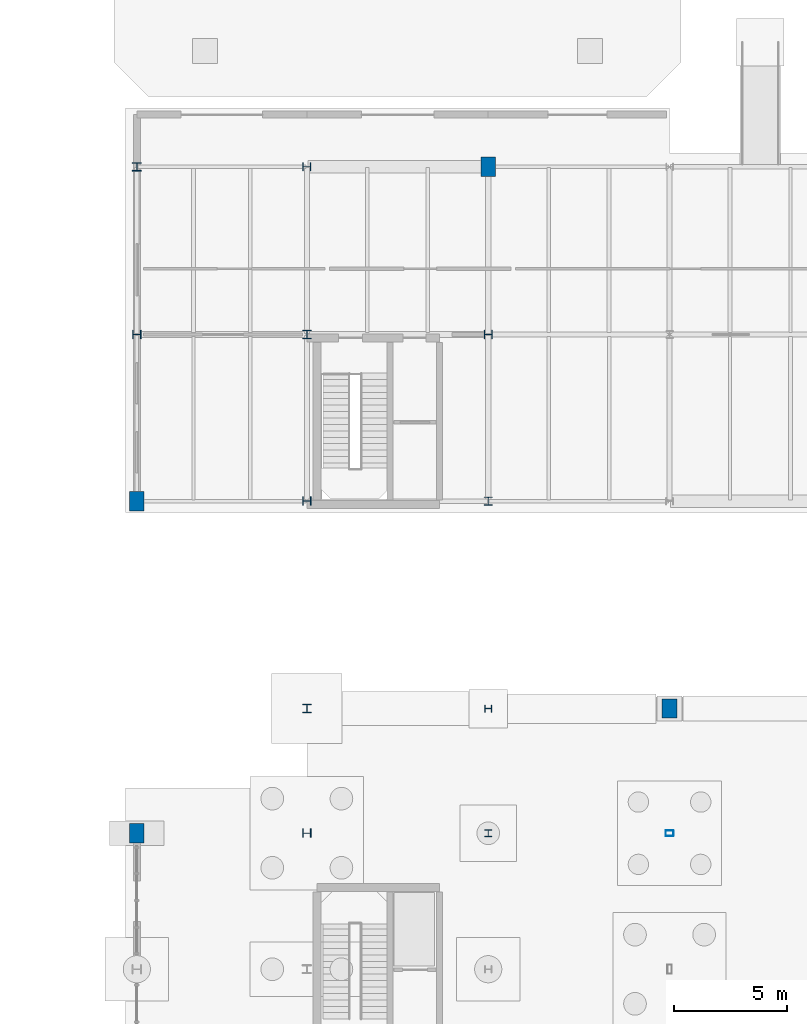
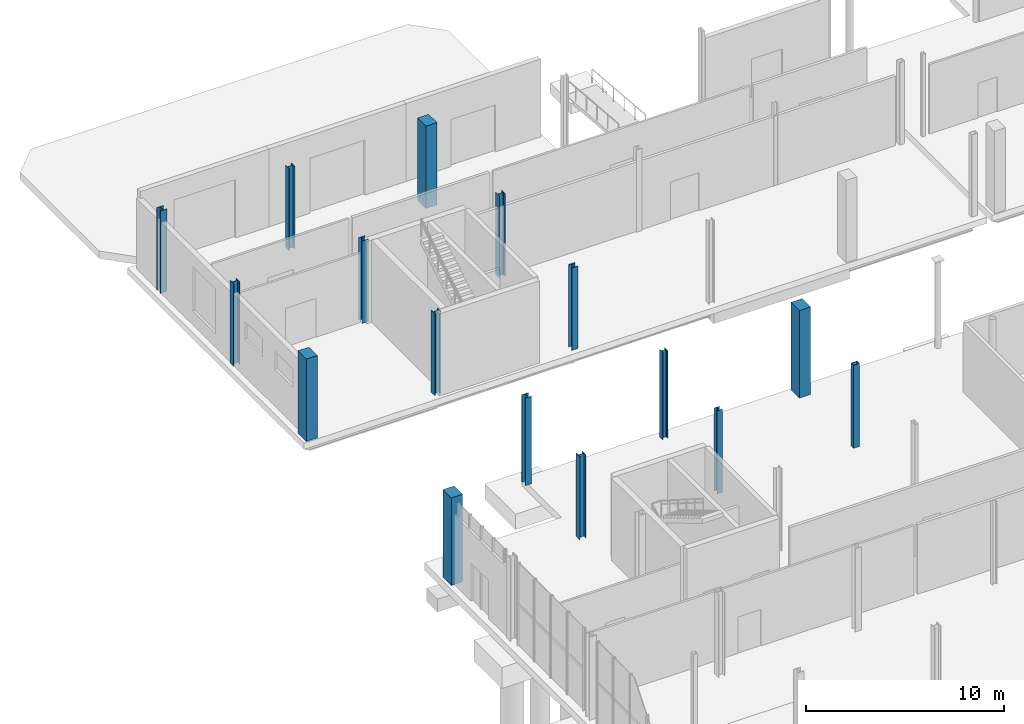
# One storey, part 19 of 87: 16 columns.
"""IFC4 building model written with IfcOpenShell, lengths in metres."""

import ifcopenshell
import ifcopenshell.guid

model = None  # the IFC model being written
_history = None  # IfcOwnerHistory: only IFC2X3 demands one
_inside = {}  # id of a spatial element -> (the spatial element, [elements in it])
_under = {}  # id of a project, library or spatial element -> (it, [spatial elements below it])
_declared = {}  # id of a project -> (the project, [libraries it declares])
_typed = {}  # id of a type object -> (the type object, [elements of that type])
_made_of = {}  # id of a material, layer set ... -> (it, [elements and type objects made of it])


def new_model(schema):
    """Start an empty IFC model of exactly this schema.

    Asked for "IFC4X3", IfcOpenShell would pick the latest addendum, in which some entities
    have other attributes; the version numbers below select the first issue.
    IFC2X3 requires an IfcOwnerHistory on every rooted entity: one is made here for all.
    """
    global model, _history
    if schema == "IFC4X3":
        model = ifcopenshell.file(schema_version=(4, 3, 0, 0))
    else:
        model = ifcopenshell.file(schema=schema)
    _inside.clear()
    _under.clear()
    _declared.clear()
    _typed.clear()
    _made_of.clear()
    _history = None
    if model.schema == "IFC2X3":
        org = make("IfcOrganization", Name="unknown")
        user = make(
            "IfcPersonAndOrganization",
            ThePerson=make("IfcPerson", FamilyName="unknown"),
            TheOrganization=org,
        )
        app = make(
            "IfcApplication",
            ApplicationDeveloper=org,
            Version="unknown",
            ApplicationFullName="unknown",
            ApplicationIdentifier="unknown",
        )
        _history = make(
            "IfcOwnerHistory",
            OwningUser=user,
            OwningApplication=app,
            ChangeAction="ADDED",
            CreationDate=0,
        )
    return model


def make(cls, **values):
    """One entity of the class cls with the attributes given. An attribute that is None is left unset."""
    return model.create_entity(
        cls, **{name: value for name, value in values.items() if value is not None}
    )


def rooted(cls, **values):
    """An entity with a GlobalId (a new one), such as an element, a storey or a relation."""
    return make(cls, GlobalId=ifcopenshell.guid.new(), OwnerHistory=_history, **values)


def si_unit(unit_type, name, prefix=None):
    """IfcSIUnit, for example si_unit("LENGTHUNIT", "METRE", prefix="MILLI")."""
    return make("IfcSIUnit", UnitType=unit_type, Prefix=prefix, Name=name)


def assignment(units):
    """IfcUnitAssignment: the units of a project."""
    return None if units is None else make("IfcUnitAssignment", Units=units)


def point(xyz):
    """IfcCartesianPoint."""
    return None if xyz is None else make("IfcCartesianPoint", Coordinates=xyz)


def direction(xyz):
    """IfcDirection."""
    return None if xyz is None else make("IfcDirection", DirectionRatios=xyz)


def frame(location, z_axis=None, x_axis=None):
    """IfcAxis2Placement3D, a coordinate frame: its origin and axes. An axis left out is left unset."""
    return make(
        "IfcAxis2Placement3D",
        Location=point(location),
        Axis=direction(z_axis),
        RefDirection=direction(x_axis),
    )


def frame_2d(location, x_axis=None):
    """IfcAxis2Placement2D, a coordinate frame in the plane: its origin and x axis."""
    return make(
        "IfcAxis2Placement2D", Location=point(location), RefDirection=direction(x_axis)
    )


def origin():
    """The frame at (0, 0, 0) with its axes left unset."""
    return frame((0.0, 0.0, 0.0))


def origin_2d():
    """The frame at (0, 0) in the plane with its x axis left unset."""
    return frame_2d((0.0, 0.0))


def place(relative_to, where):
    """IfcLocalPlacement: puts the frame where relative to a parent placement (None: the world)."""
    return make(
        "IfcLocalPlacement", PlacementRelTo=relative_to, RelativePlacement=where
    )


def context(
    kind, dimensions, precision=None, world=None, true_north=None, identifier=None
):
    """IfcGeometricRepresentationContext, for example the 3D "Model" context."""
    return make(
        "IfcGeometricRepresentationContext",
        ContextIdentifier=identifier,
        ContextType=kind,
        CoordinateSpaceDimension=dimensions,
        Precision=precision,
        WorldCoordinateSystem=world,
        TrueNorth=true_north,
    )


def subcontext(parent, identifier, kind, view, scale=None):
    """IfcGeometricRepresentationSubContext, for example "Body" below "Model"."""
    return make(
        "IfcGeometricRepresentationSubContext",
        ContextIdentifier=identifier,
        ContextType=kind,
        ParentContext=parent,
        TargetScale=scale,
        TargetView=view,
    )


def project(units=None, contexts=None):
    """IfcProject with its units and contexts."""
    return rooted(
        "IfcProject",
        Name="project",
        RepresentationContexts=contexts,
        UnitsInContext=assignment(units),
    )


def spatial(cls, under=None, at=None, **own):
    """A site, building, storey or space (cls), placed at a placement, below another one or the project."""
    s = rooted(cls, ObjectPlacement=at, **own)
    if under is not None:
        _under.setdefault(under.id(), (under, []))[1].append(s)
    return s


def profile(cls, at=None, kind="AREA", **sizes):
    """A parametric profile (cls). Its sizes go by their IFC names, for example OverallWidth=200.0."""
    return make(cls, ProfileType=kind, Position=at, **sizes)


def rectangle(**sizes):
    """IfcRectangleProfileDef."""
    return profile("IfcRectangleProfileDef", **sizes)


def hollow_rectangle(**sizes):
    """IfcRectangleHollowProfileDef."""
    return profile("IfcRectangleHollowProfileDef", **sizes)


def i_section(**sizes):
    """IfcIShapeProfileDef."""
    return profile("IfcIShapeProfileDef", **sizes)


def extrude(swept, where, along, depth):
    """IfcExtrudedAreaSolid: the profile swept, set in the frame where, extruded along a direction by depth."""
    return make(
        "IfcExtrudedAreaSolid",
        SweptArea=swept,
        Position=where,
        ExtrudedDirection=direction(along),
        Depth=depth,
    )


def shape(context_of_items, identifier, shape_type, items):
    """IfcShapeRepresentation: the items that make up one representation, for example the "Body"."""
    return make(
        "IfcShapeRepresentation",
        ContextOfItems=context_of_items,
        RepresentationIdentifier=identifier,
        RepresentationType=shape_type,
        Items=items,
    )


def material(Name=None, Category=None):
    """IfcMaterial."""
    return make("IfcMaterial", Name=Name, Category=Category)


def material_profile(
    of_material, cross_section, Name=None, Category=None, Priority=None
):
    """IfcMaterialProfile: a cross section and its material."""
    return make(
        "IfcMaterialProfile",
        Name=Name,
        Material=of_material,
        Profile=cross_section,
        Priority=Priority,
        Category=Category,
    )


def profile_set(profiles, Name=None, composite=None):
    """IfcMaterialProfileSet."""
    return make(
        "IfcMaterialProfileSet",
        Name=Name,
        MaterialProfiles=profiles,
        CompositeProfile=composite,
    )


def made_of(thing, what):
    """Note that an element or type object is made of a material, layer set ...; save() writes the relation."""
    if what is not None:
        _made_of.setdefault(what.id(), (what, []))[1].append(thing)
    return thing


def type_object(cls, material=None, **own):
    """A type object (cls), such as IfcWallType, which elements share."""
    return made_of(rooted(cls, **own), material)


def element(
    cls,
    number,
    at=None,
    inside=None,
    cuts=None,
    type_object=None,
    material=None,
    context=None,
    identifier="Body",
    shape_type=None,
    held_by="IfcProductDefinitionShape",
    body=None,
    shapes=None,
    **own,
):
    """One element of the class cls, such as IfcWall. Its Tag is "e" and its number.

    at: its placement. inside: the storey or other place that contains it. cuts: it is an
    opening in that element (IfcRelVoidsElement). A single representation is given by context,
    identifier, shape_type and body (its items); several are given by shapes. held_by: the class
    of the entity that holds the representations. save() writes the other relations.
    """
    e = rooted(cls, Tag="e%d" % number, ObjectPlacement=at, **own)
    if body is not None:
        shapes = [shape(context, identifier, shape_type, body)]
    if shapes is not None:
        e.Representation = make(held_by, Representations=shapes)
    if inside is not None:
        _inside.setdefault(inside.id(), (inside, []))[1].append(e)
    if cuts is not None:
        rooted(
            "IfcRelVoidsElement", RelatingBuildingElement=cuts, RelatedOpeningElement=e
        )
    if type_object is not None:
        _typed.setdefault(type_object.id(), (type_object, []))[1].append(e)
    return made_of(e, material)


def aggregate(whole, parts):
    """IfcRelAggregates: a whole, such as a stair, and the parts it consists of."""
    return rooted("IfcRelAggregates", RelatingObject=whole, RelatedObjects=parts)


def save(model, path):
    """Write the relations noted so far, then the file.

    IfcRelAggregates (storeys below a building ...), IfcRelContainedInSpatialStructure (elements
    in a storey), IfcRelDefinesByType, IfcRelAssociatesMaterial and IfcRelDeclares: one each for
    every whole, place, type object, material and project.
    """
    for whole, parts in _under.values():
        aggregate(whole, parts)
    for where, things in _inside.values():
        rooted(
            "IfcRelContainedInSpatialStructure",
            RelatedElements=things,
            RelatingStructure=where,
        )
    for kind, things in _typed.values():
        rooted("IfcRelDefinesByType", RelatedObjects=things, RelatingType=kind)
    for what, things in _made_of.values():
        rooted("IfcRelAssociatesMaterial", RelatedObjects=things, RelatingMaterial=what)
    for by, libraries in _declared.values():
        rooted("IfcRelDeclares", RelatingContext=by, RelatedDefinitions=libraries)
    model.write(path)


model = new_model("IFC4")

# Units and contexts
model_context = context("Model", 3, precision=1e-05, world=origin(), true_north=direction((0.0, 1.0)))
body_context = subcontext(model_context, "Body", "Model", "MODEL_VIEW")
ifc_project = project(units=[si_unit("LENGTHUNIT", "METRE"), si_unit("AREAUNIT", "SQUARE_METRE"), si_unit("VOLUMEUNIT", "CUBIC_METRE"), si_unit("PLANEANGLEUNIT", "RADIAN"), si_unit("MASSUNIT", "GRAM", prefix="KILO")], contexts=[model_context])

# Site, building, storey
site_placement = place(None, origin())
site = spatial("IfcSite", under=ifc_project, at=site_placement, CompositionType="ELEMENT")
building_placement = place(site_placement, origin())
building = spatial("IfcBuilding", under=site, at=building_placement, Name="Brisemont Oceanarium", CompositionType="ELEMENT")
storey_placement = place(building_placement, origin())
storey = spatial("IfcBuildingStorey", under=building, at=storey_placement, Name="L00", CompositionType="ELEMENT", Elevation=0.0)

# Columns
ifc_material_1 = material(Name="Structural Steel ASTM A500 Gr.C", Category="steel")
ifc_material_profile_1 = material_profile(ifc_material_1, hollow_rectangle(XDim=0.25390625, YDim=0.35595703125, WallThickness=0.01171875, InnerFilletRadius=0.01220703125, OuterFilletRadius=0.02392578125, at=origin_2d()), Name="HSS14X10X1/2")
ifc_profile_set_1 = profile_set([ifc_material_profile_1], Name="Structural Steel ASTM A500 Gr.C")
column_type_1 = type_object("IfcColumnType", Name="COL-HSS14X10", PredefinedType="COLUMN", material=ifc_profile_set_1)
column_1_placement = place(storey_placement, frame((40.0, 66.0, 0.0), z_axis=(0.0, 0.0, 1.0), x_axis=(0.0, 1.0, 0.0)))
element("IfcColumn", 1, at=column_1_placement, inside=storey, type_object=column_type_1, Name="V5W L00 column (3,4)", PredefinedType="COLUMN", context=body_context, shape_type="SweptSolid", body=[
    extrude(hollow_rectangle(XDim=0.25390625, YDim=0.35595703125, WallThickness=0.01171875, InnerFilletRadius=0.01220703125, OuterFilletRadius=0.02392578125, at=origin_2d()), origin(), (0.0, 0.0, 1.0), 5.1201171875),
])
ifc_material_2 = material(Name="Structural Steel ASTM A992 Gr.50", Category="steel")
ifc_material_profile_2 = material_profile(ifc_material_2, i_section(OverallWidth=0.305908203125, OverallDepth=0.31103515625, WebThickness=0.010986328125, FlangeThickness=0.01708984375, FilletRadius=0.012939453125, at=origin_2d()), Name="W12X72")
ifc_profile_set_2 = profile_set([ifc_material_profile_2], Name="Structural Steel ASTM A992 Gr.50")
column_type_2 = type_object("IfcColumnType", Name="COL-W12X72", PredefinedType="COLUMN", material=ifc_profile_set_2)
column_2_placement = place(storey_placement, frame((32.0, 71.5, 0.0), z_axis=(0.0, 0.0, 1.0), x_axis=(0.0, 1.0, 0.0)))
element("IfcColumn", 2, at=column_2_placement, inside=storey, type_object=column_type_2, Name="V5W L00 column (2,5)", PredefinedType="COLUMN", context=body_context, shape_type="SweptSolid", body=[
    extrude(i_section(OverallWidth=0.305908203125, OverallDepth=0.31103515625, WebThickness=0.010986328125, FlangeThickness=0.01708984375, FilletRadius=0.012939453125, at=origin_2d()), origin(), (0.0, 0.0, 1.0), 5.39990234375),
])
ifc_material_3 = material(Name="Structural Steel ASTM A992 Gr.50", Category="steel")
ifc_material_profile_3 = material_profile(ifc_material_3, i_section(OverallWidth=0.306884765625, OverallDepth=0.31494140625, WebThickness=0.011962890625, FlangeThickness=0.018798828125, FilletRadius=0.012939453125, at=origin_2d()), Name="W12X79")
ifc_profile_set_3 = profile_set([ifc_material_profile_3], Name="Structural Steel ASTM A992 Gr.50")
column_type_3 = type_object("IfcColumnType", Name="COL-W12X79", PredefinedType="COLUMN", material=ifc_profile_set_3)
column_3_placement = place(storey_placement, frame((32.0, 66.0, 0.0), z_axis=(0.0, 0.0, 1.0), x_axis=(1.0, 0.0, 0.0)))
element("IfcColumn", 3, at=column_3_placement, inside=storey, type_object=column_type_3, Name="V5W L00 column (2,4)", PredefinedType="COLUMN", context=body_context, shape_type="SweptSolid", body=[
    extrude(i_section(OverallWidth=0.306884765625, OverallDepth=0.31494140625, WebThickness=0.011962890625, FlangeThickness=0.018798828125, FilletRadius=0.012939453125, at=origin_2d()), origin(), (0.0, 0.0, 1.0), 5.1201171875),
])
ifc_material_4 = material(Name="Structural Steel ASTM A992 Gr.50", Category="steel")
ifc_material_profile_4 = material_profile(ifc_material_4, i_section(OverallWidth=0.37109375, OverallDepth=0.364013671875, WebThickness=0.01318359375, FlangeThickness=0.021728515625, FilletRadius=0.014892578125, at=origin_2d()), Name="W14X109")
ifc_profile_set_4 = profile_set([ifc_material_profile_4], Name="Structural Steel ASTM A992 Gr.50")
column_type_4 = type_object("IfcColumnType", Name="COL-W14X109", PredefinedType="COLUMN", material=ifc_profile_set_4)
column_4_placement = place(storey_placement, frame((24.0, 95.39990234375, 0.0), z_axis=(0.0, 0.0, 1.0), x_axis=(0.0, 1.0, 0.0)))
element("IfcColumn", 4, at=column_4_placement, inside=storey, type_object=column_type_4, Name="V7W L00 column (1,2)", PredefinedType="COLUMN", context=body_context, shape_type="SweptSolid", body=[
    extrude(i_section(OverallWidth=0.37109375, OverallDepth=0.364013671875, WebThickness=0.01318359375, FlangeThickness=0.021728515625, FilletRadius=0.014892578125, at=origin_2d()), origin(), (0.0, 0.0, 1.0), 5.080078125),
])
ifc_material_5 = material(Name="Structural Steel ASTM A992 Gr.50", Category="steel")
ifc_material_profile_5 = material_profile(ifc_material_5, i_section(OverallWidth=0.373046875, OverallDepth=0.367919921875, WebThickness=0.014892578125, FlangeThickness=0.02392578125, FilletRadius=0.014892578125, at=origin_2d()), Name="W14X120")
ifc_profile_set_5 = profile_set([ifc_material_profile_5], Name="Structural Steel ASTM A992 Gr.50")
column_type_5 = type_object("IfcColumnType", Name="COL-W14X120", PredefinedType="COLUMN", material=ifc_profile_set_5)
column_5_placement = place(storey_placement, frame((24.0, 71.5, 0.0), z_axis=(0.0, 0.0, 1.0), x_axis=(1.0, 0.0, 0.0)))
element("IfcColumn", 5, at=column_5_placement, inside=storey, type_object=column_type_5, Name="V5W L00 column (1,5)", PredefinedType="COLUMN", context=body_context, shape_type="SweptSolid", body=[
    extrude(i_section(OverallWidth=0.373046875, OverallDepth=0.367919921875, WebThickness=0.014892578125, FlangeThickness=0.02392578125, FilletRadius=0.014892578125, at=origin_2d()), origin(), (0.0, 0.0, 1.0), 5.39990234375),
])
column_6_placement = place(storey_placement, frame((24.0, 88.0, 0.0), z_axis=(0.0, 0.0, 1.0), x_axis=(1.0, 0.0, 0.0)))
element("IfcColumn", 6, at=column_6_placement, inside=storey, type_object=column_type_5, Name="V7W L00 column (1,1)", PredefinedType="COLUMN", context=body_context, shape_type="SweptSolid", body=[
    extrude(i_section(OverallWidth=0.373046875, OverallDepth=0.367919921875, WebThickness=0.014892578125, FlangeThickness=0.02392578125, FilletRadius=0.014892578125, at=origin_2d()), origin(), (0.0, 0.0, 1.0), 5.080078125),
])
ifc_material_6 = material(Name="Structural Steel ASTM A992 Gr.50", Category="steel")
ifc_material_profile_6 = material_profile(ifc_material_6, i_section(OverallWidth=0.3740234375, OverallDepth=0.3720703125, WebThickness=0.016357421875, FlangeThickness=0.026123046875, FilletRadius=0.014892578125, at=origin_2d()), Name="W14X132")
ifc_profile_set_6 = profile_set([ifc_material_profile_6], Name="Structural Steel ASTM A992 Gr.50")
column_type_6 = type_object("IfcColumnType", Name="COL-W14X132", PredefinedType="COLUMN", material=ifc_profile_set_6)
column_7_placement = place(storey_placement, frame((24.0, 66.0, 0.0), z_axis=(0.0, 0.0, 1.0), x_axis=(0.0, 1.0, 0.0)))
element("IfcColumn", 7, at=column_7_placement, inside=storey, type_object=column_type_6, Name="V5W L00 column (1,4)", PredefinedType="COLUMN", context=body_context, shape_type="SweptSolid", body=[
    extrude(i_section(OverallWidth=0.3740234375, OverallDepth=0.3720703125, WebThickness=0.016357421875, FlangeThickness=0.026123046875, FilletRadius=0.014892578125, at=origin_2d()), origin(), (0.0, 0.0, 1.0), 5.1201171875),
])
column_8_placement = place(storey_placement, frame((24.0, 80.64990234375, 0.0), z_axis=(0.0, 0.0, 1.0), x_axis=(0.0, 1.0, 0.0)))
element("IfcColumn", 8, at=column_8_placement, inside=storey, type_object=column_type_6, Name="V7W L00 column (1,0)", PredefinedType="COLUMN", context=body_context, shape_type="SweptSolid", body=[
    extrude(i_section(OverallWidth=0.3740234375, OverallDepth=0.3720703125, WebThickness=0.016357421875, FlangeThickness=0.026123046875, FilletRadius=0.014892578125, at=origin_2d()), origin(), (0.0, 0.0, 1.0), 5.080078125),
])
ifc_material_7 = material(Name="Structural Steel ASTM A992 Gr.50", Category="steel")
ifc_material_profile_7 = material_profile(ifc_material_7, i_section(OverallWidth=0.39404296875, OverallDepth=0.3759765625, WebThickness=0.017333984375, FlangeThickness=0.027587890625, FilletRadius=0.014892578125, at=origin_2d()), Name="W14X145")
ifc_profile_set_7 = profile_set([ifc_material_profile_7], Name="Structural Steel ASTM A992 Gr.50")
column_type_7 = type_object("IfcColumnType", Name="COL-W14X145", PredefinedType="COLUMN", material=ifc_profile_set_7)
column_9_placement = place(storey_placement, frame((16.5, 95.39990234375, 0.0), z_axis=(0.0, 0.0, 1.0), x_axis=(1.0, 0.0, 0.0)))
element("IfcColumn", 9, at=column_9_placement, inside=storey, type_object=column_type_7, Name="V7W L00 column (0,2)", PredefinedType="COLUMN", context=body_context, shape_type="SweptSolid", body=[
    extrude(i_section(OverallWidth=0.39404296875, OverallDepth=0.3759765625, WebThickness=0.017333984375, FlangeThickness=0.027587890625, FilletRadius=0.014892578125, at=origin_2d()), origin(), (0.0, 0.0, 1.0), 5.080078125),
])
ifc_material_8 = material(Name="Structural Steel ASTM A992 Gr.50", Category="steel")
ifc_material_profile_8 = material_profile(ifc_material_8, i_section(OverallWidth=0.39501953125, OverallDepth=0.3798828125, WebThickness=0.018798828125, FlangeThickness=0.0302734375, FilletRadius=0.014892578125, at=origin_2d()), Name="W14X159")
ifc_profile_set_8 = profile_set([ifc_material_profile_8], Name="Structural Steel ASTM A992 Gr.50")
column_type_8 = type_object("IfcColumnType", Name="COL-W14X159", PredefinedType="COLUMN", material=ifc_profile_set_8)
column_10_placement = place(storey_placement, frame((16.5, 88.0, 0.0), z_axis=(0.0, 0.0, 1.0), x_axis=(0.0, 1.0, 0.0)))
element("IfcColumn", 10, at=column_10_placement, inside=storey, type_object=column_type_8, Name="V7W L00 column (0,1)", PredefinedType="COLUMN", context=body_context, shape_type="SweptSolid", body=[
    extrude(i_section(OverallWidth=0.39501953125, OverallDepth=0.3798828125, WebThickness=0.018798828125, FlangeThickness=0.0302734375, FilletRadius=0.014892578125, at=origin_2d()), origin(), (0.0, 0.0, 1.0), 5.080078125),
])
ifc_material_9 = material(Name="Structural Steel ASTM A992 Gr.50", Category="steel")
ifc_material_profile_9 = material_profile(ifc_material_9, i_section(OverallWidth=0.367919921875, OverallDepth=0.35595703125, WebThickness=0.01123046875, FlangeThickness=0.01806640625, FilletRadius=0.014892578125, at=origin_2d()), Name="W14X90")
ifc_profile_set_9 = profile_set([ifc_material_profile_9], Name="Structural Steel ASTM A992 Gr.50")
column_type_9 = type_object("IfcColumnType", Name="COL-W14X90", PredefinedType="COLUMN", material=ifc_profile_set_9)
column_11_placement = place(storey_placement, frame((32.0, 88.0, 0.0), z_axis=(0.0, 0.0, 1.0), x_axis=(0.0, 1.0, 0.0)))
element("IfcColumn", 11, at=column_11_placement, inside=storey, type_object=column_type_9, Name="V7W L00 column (2,1)", PredefinedType="COLUMN", context=body_context, shape_type="SweptSolid", body=[
    extrude(i_section(OverallWidth=0.367919921875, OverallDepth=0.35595703125, WebThickness=0.01123046875, FlangeThickness=0.01806640625, FilletRadius=0.014892578125, at=origin_2d()), origin(), (0.0, 0.0, 1.0), 5.080078125),
])
ifc_material_10 = material(Name="Structural Steel ASTM A992 Gr.50", Category="steel")
ifc_material_profile_10 = material_profile(ifc_material_10, i_section(OverallWidth=0.37109375, OverallDepth=0.361083984375, WebThickness=0.01220703125, FlangeThickness=0.019775390625, FilletRadius=0.014892578125, at=origin_2d()), Name="W14X99")
ifc_profile_set_10 = profile_set([ifc_material_profile_10], Name="Structural Steel ASTM A992 Gr.50")
column_type_10 = type_object("IfcColumnType", Name="COL-W14X99", PredefinedType="COLUMN", material=ifc_profile_set_10)
column_12_placement = place(storey_placement, frame((32.0, 80.64990234375, 0.0), z_axis=(0.0, 0.0, 1.0), x_axis=(1.0, 0.0, 0.0)))
element("IfcColumn", 12, at=column_12_placement, inside=storey, type_object=column_type_10, Name="V7W L00 column (2,0)", PredefinedType="COLUMN", context=body_context, shape_type="SweptSolid", body=[
    extrude(i_section(OverallWidth=0.37109375, OverallDepth=0.361083984375, WebThickness=0.01220703125, FlangeThickness=0.019775390625, FilletRadius=0.014892578125, at=origin_2d()), origin(), (0.0, 0.0, 1.0), 5.080078125),
])
ifc_material_11 = material(Name="Precast Concrete C40/50", Category="concrete")
ifc_material_profile_11 = material_profile(ifc_material_11, rectangle(XDim=0.64990234375, YDim=0.85009765625, at=origin_2d()), Name="RC-PIL-650X850")
ifc_profile_set_11 = profile_set([ifc_material_profile_11], Name="Precast Concrete C40/50")
column_type_11 = type_object("IfcColumnType", Name="PIL-RC650X850", PredefinedType="PILASTER", material=ifc_profile_set_11)
for number, where, z_axis, x_axis, name in (
    (13, (16.5, 66.0, 0.0), (0.0, 0.0, 1.0), (1.0, 0.0, 0.0), "V5W L00 column (0,4)"),
    (14, (40.0, 71.5, 0.0), (0.0, 0.0, 1.0), (1.0, 0.0, 0.0), "V5W L00 column (3,5)"),
):
    element("IfcColumn", number, at=place(storey_placement, frame(where, z_axis=z_axis, x_axis=x_axis)), inside=storey, type_object=column_type_11, Name=name, PredefinedType="PILASTER", context=body_context, shape_type="SweptSolid", body=[
        extrude(rectangle(XDim=0.64990234375, YDim=0.85009765625, at=origin_2d()), origin(), (0.0, 0.0, 1.0), 5.39990234375),
    ])
for number, where, z_axis, x_axis, name in (
    (15, (16.5, 80.64990234375, 0.0), (0.0, 0.0, 1.0), (1.0, 0.0, 0.0), "V7W L00 column (0,0)"),
    (16, (32.0, 95.39990234375, 0.0), (0.0, 0.0, 1.0), (1.0, 0.0, 0.0), "V7W L00 column (2,2)"),
):
    element("IfcColumn", number, at=place(storey_placement, frame(where, z_axis=z_axis, x_axis=x_axis)), inside=storey, type_object=column_type_11, Name=name, PredefinedType="PILASTER", context=body_context, shape_type="SweptSolid", body=[
        extrude(rectangle(XDim=0.64990234375, YDim=0.85009765625, at=origin_2d()), origin(), (0.0, 0.0, 1.0), 5.080078125),
    ])

save(model, "model.ifc")
